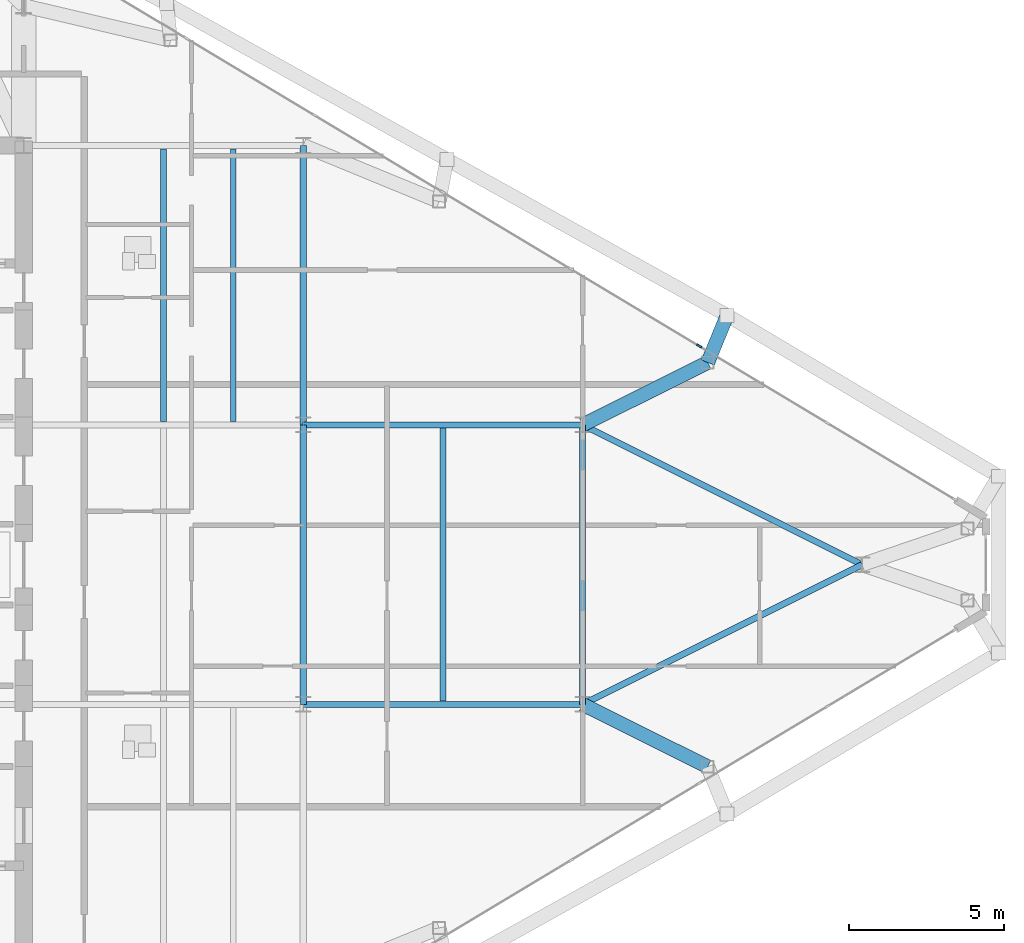
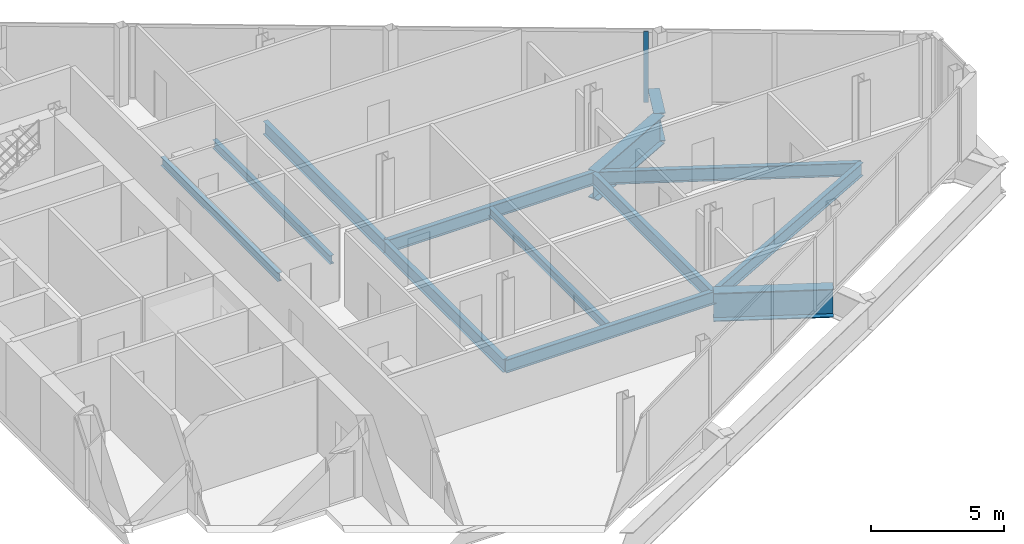
# One storey, part 16 of 29: 13 beams, 1 member, 1 element without a shape of its own.
"""IFC4 building model written with IfcOpenShell, lengths in metres."""

from ifc_helpers import new_model, si_unit, direction, frame, origin, origin_2d, place, context, subcontext, project, spatial, rectangle, i_section, extrude, source, transform, mapped, material, layer, layer_set, material_profile, profile_set, type_object, type_shapes, element, aggregate, save


model = new_model("IFC4")

# Units and contexts
model_context = context("Model", 3, precision=1e-05, world=origin(), true_north=direction((0.0, 1.0)))
body_context = subcontext(model_context, "Body", "Model", "MODEL_VIEW")
ifc_project = project(units=[si_unit("LENGTHUNIT", "METRE"), si_unit("AREAUNIT", "SQUARE_METRE"), si_unit("VOLUMEUNIT", "CUBIC_METRE"), si_unit("PLANEANGLEUNIT", "RADIAN"), si_unit("MASSUNIT", "GRAM", prefix="KILO")], contexts=[model_context])

# Site, building, storey
site_placement = place(None, origin())
site = spatial("IfcSite", under=ifc_project, at=site_placement, CompositionType="ELEMENT")
building_placement = place(site_placement, origin())
building = spatial("IfcBuilding", under=site, at=building_placement, Name="Seokmaru Belvedere", CompositionType="ELEMENT")
storey_placement = place(building_placement, frame((0.0, 0.0, 195.89990234375)))
storey = spatial("IfcBuildingStorey", under=building, at=storey_placement, Name="L52", CompositionType="ELEMENT", Elevation=195.89990234375)

# Beams
ifc_material_1 = material(Name="Steel SM355 (355 MPa)", Category="steel")
ifc_material_profile_1 = material_profile(ifc_material_1, i_section(OverallWidth=0.199951171875, OverallDepth=0.60009765625, WebThickness=0.010986328125, FlangeThickness=0.01708984375, at=origin_2d()), Name="H-600x200x11x17")
ifc_profile_set_1 = profile_set([ifc_material_profile_1], Name="Steel SM355 (355 MPa)")
beam_type_1 = type_object("IfcBeamType", Name="Primary Floor Girder H-600", PredefinedType="BEAM", material=ifc_profile_set_1)
shared_shape_1 = source(origin(), body_context, "Body", "SweptSolid", [
    extrude(i_section(OverallWidth=0.199951171875, OverallDepth=0.60009765625, WebThickness=0.010986328125, FlangeThickness=0.01708984375, at=origin_2d()), origin(), (0.0, 0.0, 1.0), 9.0),
])
for number, where, z_axis, x_axis, name in (
    (1, (45.5, -4.5, -0.52001953125), (0.0, 1.0, 0.0), (-1.0, 0.0, 0.0), "L52 E Interior Grid Girder 2"),
    (2, (45.5, 4.5, -0.52001953125), (0.0, 1.0, 0.0), (-1.0, 0.0, 0.0), "L52 E Interior Grid Girder 3"),
    (3, (45.5, -4.5, -0.52001953125), (1.0, 0.0, 0.0), (0.0, 1.0, 0.0), "L52 E Outer Wing Girder 1"),
    (4, (45.5, 4.5, -0.52001953125), (1.0, 0.0, 0.0), (0.0, 1.0, 0.0), "L52 E Outer Wing Girder 2"),
    (5, (54.5, -4.5, -0.52001953125), (0.0, 1.0, 0.0), (-1.0, 0.0, 0.0), "L52 E Apex Frame Girder"),
):
    element("IfcBeam", number, at=place(storey_placement, frame(where, z_axis=z_axis, x_axis=x_axis)), inside=storey, type_object=beam_type_1, Name=name, PredefinedType="BEAM", context=body_context, shape_type="MappedRepresentation", body=[
        mapped(shared_shape_1, transform((0.0, 0.0, 0.0), scale=1.0)),
    ])
shared_shape_2 = source(origin(), body_context, "Body", "SweptSolid", [
    extrude(i_section(OverallWidth=0.199951171875, OverallDepth=0.60009765625, WebThickness=0.010986328125, FlangeThickness=0.01708984375, at=origin_2d()), origin(), (0.0, 0.0, 1.0), 10.062255859375),
])
type_shapes(beam_type_1, [shared_shape_1, shared_shape_2])
for number, where, z_axis, x_axis, name in (
    (6, (54.5, -4.5, -0.52001953125), (0.894427191, 0.4472135955, 0.0), (-0.4472135955, 0.894427191, 0.0), "L52 E Apex Converging Girder 1"),
    (7, (54.5, 4.5, -0.52001953125), (0.894427191, -0.4472135955, 0.0), (0.4472135955, 0.894427191, 0.0), "L52 E Apex Converging Girder 2"),
):
    element("IfcBeam", number, at=place(storey_placement, frame(where, z_axis=z_axis, x_axis=x_axis)), inside=storey, type_object=beam_type_1, Name=name, PredefinedType="BEAM", context=body_context, shape_type="MappedRepresentation", body=[
        mapped(shared_shape_2, transform((0.0, 0.0, 0.0), scale=1.0)),
    ])
ifc_material_profile_2 = material_profile(ifc_material_1, i_section(OverallWidth=0.18505859375, OverallDepth=0.389892578125, WebThickness=0.008056640625, FlangeThickness=0.011962890625, at=origin_2d()), Name="H-390x185x8x12")
ifc_profile_set_2 = profile_set([ifc_material_profile_2], Name="Steel SM355 (355 MPa)")
beam_type_2 = type_object("IfcBeamType", Name="Secondary Floor Joist H-350", PredefinedType="JOIST", material=ifc_profile_set_2)
shared_shape_3 = source(origin(), body_context, "Body", "SweptSolid", [
    extrude(i_section(OverallWidth=0.18505859375, OverallDepth=0.389892578125, WebThickness=0.008056640625, FlangeThickness=0.011962890625, at=origin_2d()), origin(), (0.0, 0.0, 1.0), 8.7900390625),
])
type_shapes(beam_type_2, [shared_shape_3])
for number, where, z_axis, x_axis, name in (
    (8, (43.25, 4.60498046875, -0.414794921875), (0.0, 1.0, 0.0), (-1.0, 0.0, 0.0), "L52 E Wing Inner Secondary Joist 2"),
    (9, (41.0, 4.60498046875, -0.414794921875), (0.0, 1.0, 0.0), (-1.0, 0.0, 0.0), "L52 E Secondary Floor Joist 3"),
    (10, (50.0, -4.39501953125, -0.414794921875), (0.0, 1.0, 0.0), (-1.0, 0.0, 0.0), "L52 E Outer Bay Secondary Joist"),
):
    element("IfcBeam", number, at=place(storey_placement, frame(where, z_axis=z_axis, x_axis=x_axis)), inside=storey, type_object=beam_type_2, Name=name, PredefinedType="JOIST", context=body_context, shape_type="MappedRepresentation", body=[
        mapped(shared_shape_3, transform((0.0, 0.0, 0.0), scale=1.0)),
    ])
ifc_material_2 = material(Name="Steel HSA650 (650 MPa)", Category="steel")
ifc_material_profile_3 = material_profile(ifc_material_2, i_section(OverallWidth=0.449951171875, OverallDepth=1.300048828125, WebThickness=0.02197265625, FlangeThickness=0.0380859375, at=origin_2d()), Name="BH-1300x450x22x38")
ifc_profile_set_3 = profile_set([ifc_material_profile_3], Name="Steel HSA650 (650 MPa)")
beam_type_3 = type_object("IfcBeamType", Name="Observatory Long-Span Roof Girder BH-1300", PredefinedType="BEAM", material=ifc_profile_set_3)
shared_shape_4 = source(origin(), body_context, "Body", "SweptSolid", [
    extrude(i_section(OverallWidth=0.449951171875, OverallDepth=1.300048828125, WebThickness=0.02197265625, FlangeThickness=0.0380859375, at=origin_2d()), origin(), (0.0, 0.0, 1.0), 1.645751953125),
])
beam_placement = place(storey_placement, frame((59.154541015625, 8.031494140625, -0.869873046875), z_axis=(-0.379458683871, -0.925208683074, 0.0), x_axis=(0.925208683074, -0.379458683871, 0.0)))
element("IfcBeam", 11, at=beam_placement, inside=storey, type_object=beam_type_3, Name="L52 E Flank Setback Step Girder N-3", PredefinedType="BEAM", context=body_context, shape_type="MappedRepresentation", body=[
    mapped(shared_shape_4, transform((0.0, 0.0, 0.0), scale=1.0)),
])
shared_shape_5 = source(origin(), body_context, "Body", "SweptSolid", [
    extrude(i_section(OverallWidth=0.449951171875, OverallDepth=1.300048828125, WebThickness=0.02197265625, FlangeThickness=0.0380859375, at=origin_2d()), origin(), (0.0, 0.0, 1.0), 4.5029296875),
])
type_shapes(beam_type_3, [shared_shape_4, shared_shape_5])
for number, where, z_axis, x_axis, name in (
    (12, (58.530029296875, -6.5087890625, -0.869873046875), (-0.894979532585, 0.446107202648, 0.0), (-0.446107202648, -0.894979532585, 0.0), "L52 E Flank Setback Back-Span Girder S-3"),
    (13, (58.530029296875, 6.5087890625, -0.869873046875), (-0.894979532585, -0.446107202648, 0.0), (0.446107202648, -0.894979532585, 0.0), "L52 E Flank Setback Back-Span Girder N-3"),
):
    element("IfcBeam", number, at=place(storey_placement, frame(where, z_axis=z_axis, x_axis=x_axis)), inside=storey, type_object=beam_type_3, Name=name, PredefinedType="BEAM", context=body_context, shape_type="MappedRepresentation", body=[
        mapped(shared_shape_5, transform((0.0, 0.0, 0.0), scale=1.0)),
    ])

# Curtain wall, member
ifc_material_3 = material(Name="Bronze Triple Insulating Glass", Category="glass")
ifc_layer = layer(ifc_material_3, 0.179931640625)
ifc_layer_set = layer_set([ifc_layer], Name="Bronze Triple Insulating Glass")
curtain_wall_type = type_object("IfcCurtainWallType", Name="High-Rise Wind-Corner Curtain Wall System CW-5", PredefinedType="NOTDEFINED", material=ifc_layer_set)
curtain_wall_placement = place(storey_placement, origin())
curtain_wall = element("IfcCurtainWall", 14, at=curtain_wall_placement, inside=storey, type_object=curtain_wall_type, Name="L52 Curtain Wall EF3", PredefinedType="NOTDEFINED")
ifc_material_4 = material(Name="Anodised Bronze Aluminium", Category="aluminium")
ifc_material_profile_4 = material_profile(ifc_material_4, rectangle(XDim=0.06494140625, YDim=0.179931640625, at=origin_2d()), Name="CW-M-65x180")
ifc_profile_set_4 = profile_set([ifc_material_profile_4], Name="Anodised Bronze Aluminium")
member_type = type_object("IfcMemberType", Name="Bronze Unitised Mullion 65x180", PredefinedType="MULLION", material=ifc_profile_set_4)
shared_shape_6 = source(origin(), body_context, "Body", "SweptSolid", [
    extrude(rectangle(XDim=0.06494140625, YDim=0.179931640625, at=origin_2d()), origin(), (0.0, 0.0, 1.0), 3.25),
])
type_shapes(member_type, [shared_shape_6])
member_placement = place(storey_placement, frame((58.257080078125, 7.0458984375, 0.065185546875), z_axis=(0.0, 0.0, 1.0), x_axis=(-0.514494909364, -0.85749343335, 0.0)))
member = element("IfcMember", 15, at=member_placement, type_object=member_type, Name="CW:L52:EF3 Mullion 3", PredefinedType="MULLION", context=body_context, shape_type="MappedRepresentation", body=[
    mapped(shared_shape_6, transform((0.0, 0.0, 0.0), scale=1.0)),
])
aggregate(curtain_wall, [member])

save(model, "model.ifc")
